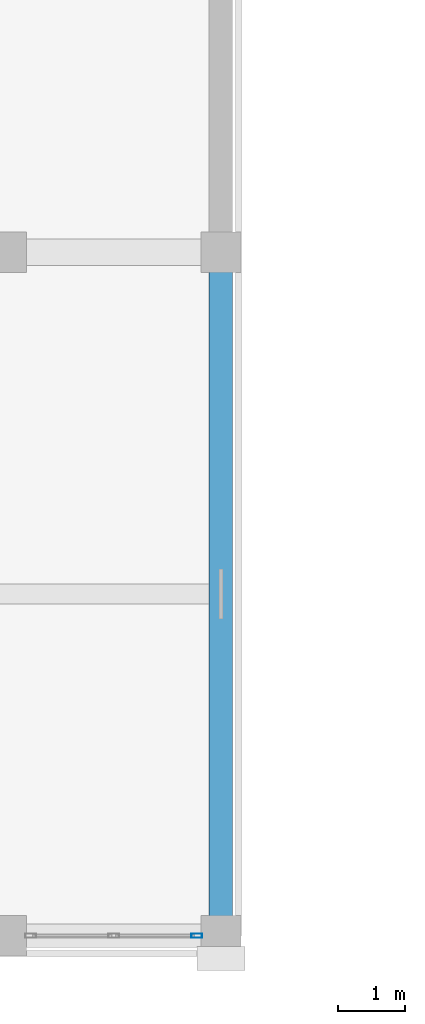
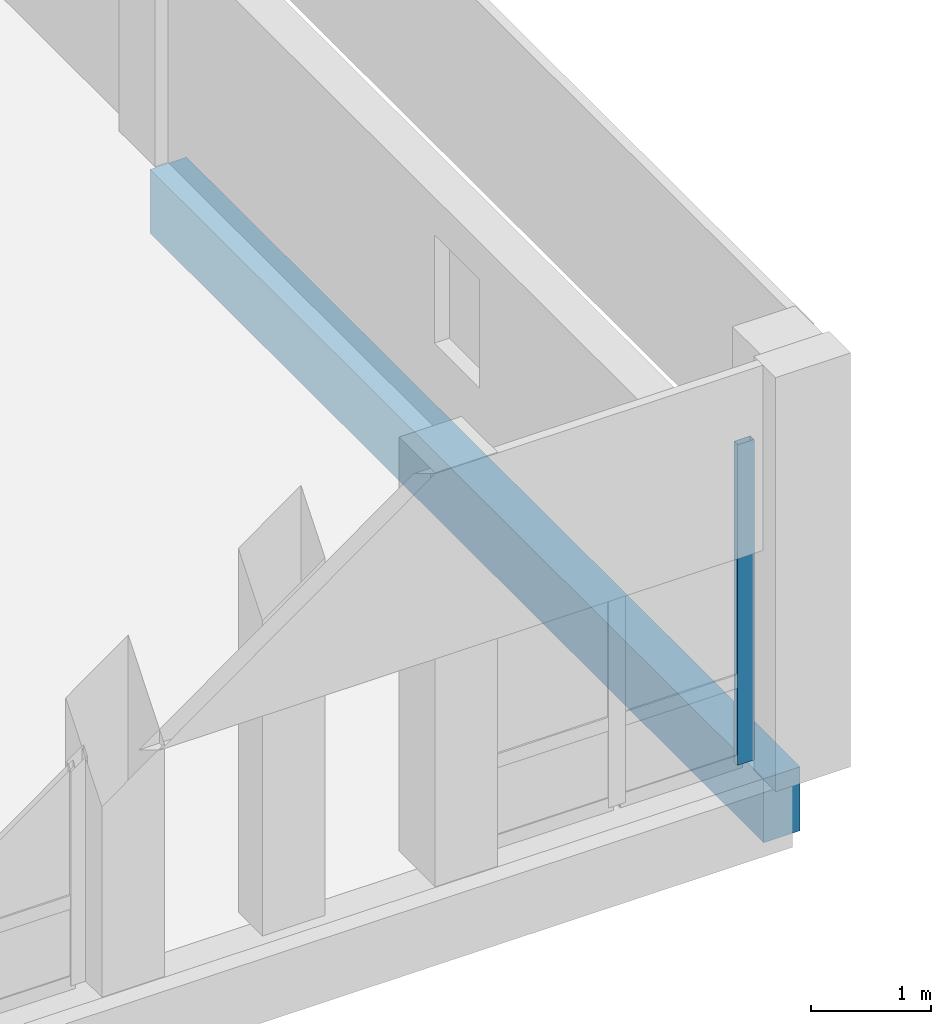
# One storey, part 17 of 93: 1 beam, 1 member, 1 element without a shape of its own.
"""IFC4 building model written with IfcOpenShell, lengths in metres."""

from ifc_helpers import new_model, si_unit, direction, frame, origin, origin_2d, place, context, subcontext, project, spatial, rectangle, hollow_rectangle, extrude, material, material_profile, profile_set, type_object, element, aggregate, save


model = new_model("IFC4")

# Units and contexts
model_context = context("Model", 3, precision=1e-05, world=origin(), true_north=direction((0.0, 1.0)))
body_context = subcontext(model_context, "Body", "Model", "MODEL_VIEW")
ifc_project = project(units=[si_unit("LENGTHUNIT", "METRE"), si_unit("AREAUNIT", "SQUARE_METRE"), si_unit("VOLUMEUNIT", "CUBIC_METRE"), si_unit("PLANEANGLEUNIT", "RADIAN"), si_unit("MASSUNIT", "GRAM", prefix="KILO")], contexts=[model_context])

# Site, building, storey
site_placement = place(None, origin())
site = spatial("IfcSite", under=ifc_project, at=site_placement, CompositionType="ELEMENT")
building_placement = place(site_placement, origin())
building = spatial("IfcBuilding", under=site, at=building_placement, Name="Vondelvale Polytechnic", CompositionType="ELEMENT")
storey_placement = place(building_placement, frame((0.0, 0.0, 18.0)))
storey = spatial("IfcBuildingStorey", under=building, at=storey_placement, Name="L04", CompositionType="ELEMENT", Elevation=18.0)

# Curtain wall, member
ifc_material_1 = material(Name="Anodised extruded aluminium 6063-T6", Category="aluminium")
curtain_wall_type = type_object("IfcCurtainWallType", Name="CW-LIBRARY-BAY", PredefinedType="NOTDEFINED", material=ifc_material_1)
curtain_wall_placement = place(storey_placement, origin())
curtain_wall = element("IfcCurtainWall", 1, at=curtain_wall_placement, inside=storey, type_object=curtain_wall_type, Name="L04 architectural curtain wall CW-02-036", PredefinedType="NOTDEFINED")
ifc_material_profile_1 = material_profile(ifc_material_1, hollow_rectangle(XDim=0.06494140625, YDim=0.159912109375, WallThickness=0.0048828125, at=origin_2d()), Name="CW-MUL-160x65")
ifc_profile_set_1 = profile_set([ifc_material_profile_1], Name="Anodised extruded aluminium 6063-T6")
member_type = type_object("IfcMemberType", Name="CW-MUL-65x160", PredefinedType="MULLION", material=ifc_profile_set_1)
member_placement = place(storey_placement, frame((47.637451171875, 0.0, 0.0), z_axis=(0.0, 0.0, 1.0), x_axis=(0.0, 1.0, 0.0)))
member = element("IfcMember", 2, at=member_placement, type_object=member_type, Name="CW-02-036 mullion 3", PredefinedType="MULLION", context=body_context, shape_type="SweptSolid", body=[
    extrude(hollow_rectangle(XDim=0.06494140625, YDim=0.159912109375, WallThickness=0.0048828125, at=origin_2d()), origin(), (0.0, 0.0, 1.0), 3.25),
])
aggregate(curtain_wall, [member])

# Beam
ifc_material_2 = material(Name="Precast concrete N40 (f'c = 40 MPa)", Category="concrete")
ifc_material_profile_2 = material_profile(ifc_material_2, rectangle(XDim=0.35009765625, YDim=0.64990234375, at=origin_2d()), Name="RC-SPN-350x650")
ifc_profile_set_2 = profile_set([ifc_material_profile_2], Name="Precast concrete N40 (f'c = 40 MPa)")
beam_type = type_object("IfcBeamType", Name="SPN-PRE350x650", PredefinedType="SPANDREL", material=ifc_profile_set_2)
beam_placement = place(storey_placement, frame((48.0, 0.0, -0.574951171875), z_axis=(0.0, 1.0, 0.0), x_axis=(-1.0, 0.0, 0.0)))
element("IfcBeam", 3, at=beam_placement, inside=storey, type_object=beam_type, Name="L04 B SP-02", PredefinedType="SPANDREL", context=body_context, shape_type="SweptSolid", body=[
    extrude(rectangle(XDim=0.35009765625, YDim=0.64990234375, at=origin_2d()), origin(), (0.0, 0.0, 1.0), 10.199951171875),
])

save(model, "model.ifc")
